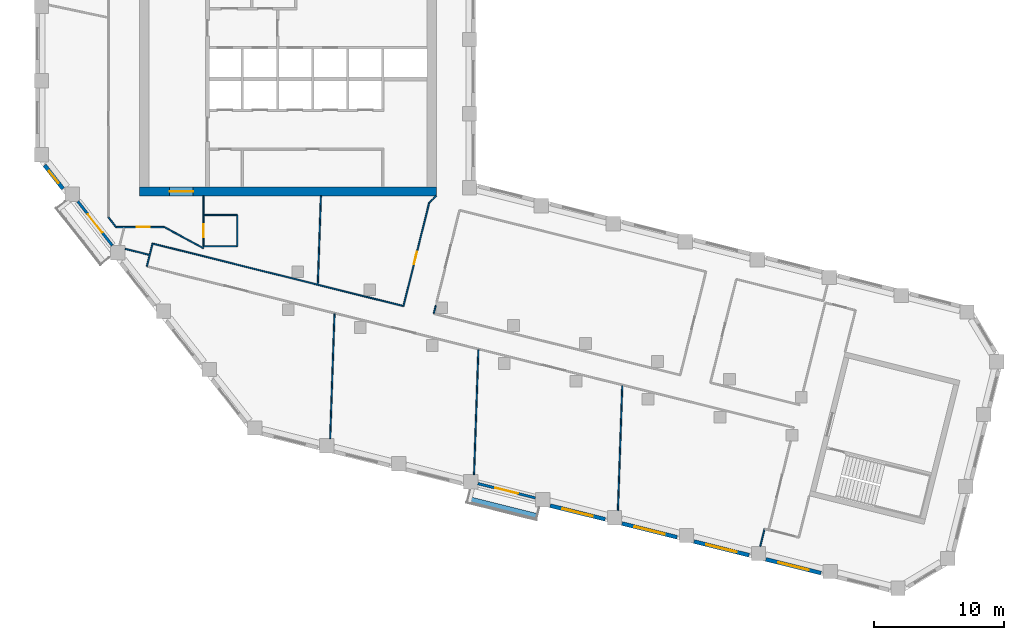
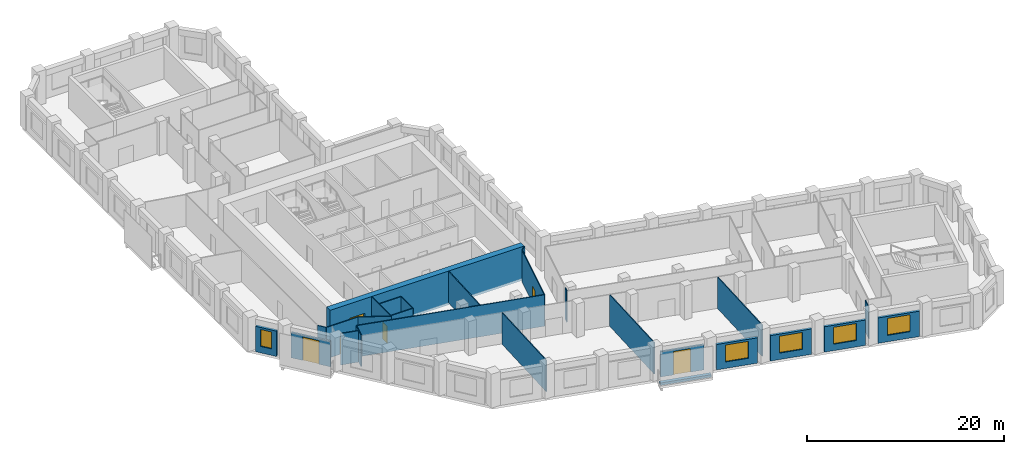
# One storey, part 3 of 10: 27 walls, 6 doors, 5 windows, 11 openings.
"""IFC4 building model written with IfcOpenShell, lengths in metres."""

from ifc_helpers import new_model, si_unit, direction, frame, frame_2d, origin, place, context, subcontext, project, spatial, rectangle, extrude, material, layer, layer_set, type_object, element, fill, save


model = new_model("IFC4")

# Units and contexts
model_context = context("Model", 3, precision=1e-05, world=origin(), true_north=direction((0.0, 1.0)))
body_context = subcontext(model_context, "Body", "Model", "MODEL_VIEW")
ifc_project = project(units=[si_unit("LENGTHUNIT", "METRE"), si_unit("AREAUNIT", "SQUARE_METRE"), si_unit("VOLUMEUNIT", "CUBIC_METRE"), si_unit("PLANEANGLEUNIT", "RADIAN"), si_unit("MASSUNIT", "GRAM", prefix="KILO")], contexts=[model_context])

# Site, building, storey
site_placement = place(None, origin())
site = spatial("IfcSite", under=ifc_project, at=site_placement, CompositionType="ELEMENT")
building_placement = place(site_placement, origin())
building = spatial("IfcBuilding", under=site, at=building_placement, Name="Meshkara Civic Tower", CompositionType="ELEMENT")
storey_placement = place(building_placement, frame((0.0, 0.0, 250.800048828125)))
storey = spatial("IfcBuildingStorey", under=building, at=storey_placement, Name="L57", CompositionType="ELEMENT", Elevation=250.800048828125)

# Wall, opening, door
ifc_material_1 = material(Name="Concrete C60", Category="concrete")
ifc_layer_1 = layer(ifc_material_1, 0.699951171875)
ifc_layer_set_1 = layer_set([ifc_layer_1], Name="Core ring wall 700 C60")
wall_type_1 = type_object("IfcWallType", Name="Core ring wall 700 C60", PredefinedType="SHEAR", material=ifc_layer_set_1)
wall_1_placement = place(storey_placement, frame((8.0, 14.449951171875, -0.300048828125), z_axis=(0.0, 0.0, 1.0), x_axis=(1.0, 0.0, 0.0)))
wall_1 = element("IfcWall", 1, at=wall_1_placement, inside=storey, type_object=wall_type_1, Name="L57-C001", PredefinedType="SHEAR", context=body_context, shape_type="SweptSolid", body=[
    extrude(rectangle(XDim=22.800048828125, YDim=0.699951171875, at=frame_2d((11.39990234375, 0.0))), origin(), (0.0, 0.0, 1.0), 4.199951171875),
])
opening_1_placement = place(wall_1_placement, frame((2.300048828125, 0.0, 0.300048828125)))
opening_1 = element("IfcOpeningElement", 2, at=opening_1_placement, cuts=wall_1, Name="Opening L57-K021", PredefinedType="OPENING", context=body_context, shape_type="SweptSolid", body=[
    extrude(rectangle(XDim=1.800048828125, YDim=2.10009765625, at=frame_2d((0.89990234375, 1.050048828125))), frame((0.0, 0.35986328125, 0.0), z_axis=(0.0, -1.0, 0.0), x_axis=(1.0, 0.0, 0.0)), (0.0, 0.0, 1.0), 0.719970703125),
])
ifc_material_2 = material(Name="Fire-rated door leaf in steel frame", Category="steel")
door_type_1 = type_object("IfcDoorType", Name="Core double door 1800 EI 60", OperationType="DOUBLE_DOOR_SINGLE_SWING", PredefinedType="DOOR", material=ifc_material_2)
door_1_placement = place(opening_1_placement, origin())
door_1 = element("IfcDoor", 3, at=door_1_placement, inside=storey, type_object=door_type_1, Name="L57-K021", OperationType="DOUBLE_DOOR_SINGLE_SWING", OverallHeight=2.10009765625, OverallWidth=1.800048828125, PredefinedType="DOOR", context=body_context, shape_type="SweptSolid", body=[
    extrude(rectangle(XDim=1.800048828125, YDim=2.10009765625, at=frame_2d((0.89990234375, 1.050048828125))), frame((0.0, 0.02490234375, 0.0), z_axis=(0.0, -1.0, 0.0), x_axis=(1.0, 0.0, 0.0)), (0.0, 0.0, 1.0), 0.050048828125),
])
fill(opening_1, door_1)

# Wall
ifc_material_3 = material(Name="Corridor wall 100")
ifc_layer_2 = layer(ifc_material_3, 0.10009765625)
ifc_layer_set_2 = layer_set([ifc_layer_2], Name="Corridor wall 100")
wall_type_2 = type_object("IfcWallType", Name="Corridor wall 100", PredefinedType="PARTITIONING", material=ifc_layer_set_2)
wall_2_placement = place(storey_placement, frame((5.60009765625, 12.449951171875, 0.0), z_axis=(0.0, 0.0, 1.0), x_axis=(0.615644041972, -0.788024373725, 0.0)))
element("IfcWall", 4, at=wall_2_placement, inside=storey, type_object=wall_type_2, Name="L57-W003", PredefinedType="PARTITIONING", context=body_context, shape_type="SweptSolid", body=[
    extrude(rectangle(XDim=0.95166015625, YDim=0.10009765625, at=frame_2d((0.475830078125, 0.0))), origin(), (0.0, 0.0, 1.0), 3.89990234375),
])

# Wall, opening, door
wall_3_placement = place(storey_placement, frame((6.18603515625, 11.699951171875, 0.0), z_axis=(0.0, 0.0, 1.0), x_axis=(1.0, 0.0, 0.0)))
wall_3 = element("IfcWall", 5, at=wall_3_placement, inside=storey, type_object=wall_type_2, Name="L57-W006", PredefinedType="PARTITIONING", context=body_context, shape_type="SweptSolid", body=[
    extrude(rectangle(XDim=3.7138671875, YDim=0.10009765625, at=frame_2d((1.85693359375, 0.0))), origin(), (0.0, 0.0, 1.0), 3.89990234375),
])
opening_2_placement = place(wall_3_placement, frame((1.591064453125, 0.0, 0.0)))
opening_2 = element("IfcOpeningElement", 6, at=opening_2_placement, cuts=wall_3, Name="Opening L57-D008", PredefinedType="OPENING", context=body_context, shape_type="SweptSolid", body=[
    extrude(rectangle(XDim=1.0, YDim=2.10009765625, at=frame_2d((0.5, 1.050048828125))), frame((0.0, 0.06005859375, 0.0), z_axis=(0.0, -1.0, 0.0), x_axis=(1.0, 0.0, 0.0)), (0.0, 0.0, 1.0), 0.1201171875),
])
ifc_material_4 = material(Name="Door 1000 x 2100")
door_type_2 = type_object("IfcDoorType", Name="Door 1000 x 2100", OperationType="SINGLE_SWING_LEFT", PredefinedType="DOOR", material=ifc_material_4)
door_2_placement = place(opening_2_placement, origin())
door_2 = element("IfcDoor", 7, at=door_2_placement, inside=storey, type_object=door_type_2, Name="L57-D008", OperationType="SINGLE_SWING_RIGHT", OverallHeight=2.10009765625, OverallWidth=1.0, PredefinedType="DOOR", context=body_context, shape_type="SweptSolid", body=[
    extrude(rectangle(XDim=1.0, YDim=2.10009765625, at=frame_2d((0.5, 1.050048828125))), frame((0.0, 0.02490234375, 0.0), z_axis=(0.0, -1.0, 0.0), x_axis=(1.0, 0.0, 0.0)), (0.0, 0.0, 1.0), 0.050048828125),
])
fill(opening_2, door_2)

# Walls
wall_4_placement = place(storey_placement, frame((8.988037109375, 10.43994140625, 0.0), z_axis=(0.0, 0.0, 1.0), x_axis=(0.970301223092, -0.241899848006, 0.0)))
element("IfcWall", 8, at=wall_4_placement, inside=storey, type_object=wall_type_2, Name="L57-W009", PredefinedType="PARTITIONING", context=body_context, shape_type="SweptSolid", body=[
    extrude(rectangle(XDim=19.87939453125, YDim=0.10009765625, at=frame_2d((9.939697265625, 0.0))), origin(), (0.0, 0.0, 1.0), 3.89990234375),
])
wall_5_placement = place(storey_placement, frame((8.988037109375, 10.43994140625, 0.0), z_axis=(0.0, 0.0, 1.0), x_axis=(-0.242154485745, -0.970237705428, 0.0)))
element("IfcWall", 9, at=wall_5_placement, inside=storey, type_object=wall_type_2, Name="L57-W010", PredefinedType="PARTITIONING", context=body_context, shape_type="SweptSolid", body=[
    extrude(rectangle(XDim=1.80859375, YDim=0.10009765625, at=frame_2d((0.904296875, 0.0))), origin(), (0.0, 0.0, 1.0), 3.89990234375),
])
wall_6_placement = place(storey_placement, frame((9.89990234375, 11.699951171875, 0.0), z_axis=(0.0, 0.0, 1.0), x_axis=(0.87965147249, -0.475618846291, 0.0)))
element("IfcWall", 10, at=wall_6_placement, inside=storey, type_object=wall_type_2, Name="L57-W011", PredefinedType="PARTITIONING", context=body_context, shape_type="SweptSolid", body=[
    extrude(rectangle(XDim=3.410400390625, YDim=0.10009765625, at=frame_2d((1.705078125, 0.0))), origin(), (0.0, 0.0, 1.0), 3.89990234375),
])

# Wall, opening, door
wall_7_placement = place(storey_placement, frame((12.89990234375, 10.22802734375, 0.0), z_axis=(0.0, 0.0, 1.0), x_axis=(0.0, 1.0, 0.0)))
wall_7 = element("IfcWall", 11, at=wall_7_placement, inside=storey, type_object=wall_type_2, Name="L57-W016", PredefinedType="PARTITIONING", context=body_context, shape_type="SweptSolid", body=[
    extrude(rectangle(XDim=3.8720703125, YDim=0.10009765625, at=frame_2d((1.93603515625, 0.0))), origin(), (0.0, 0.0, 1.0), 3.89990234375),
])
opening_3_placement = place(wall_7_placement, frame((0.679931640625, 0.0, 0.0)))
opening_3 = element("IfcOpeningElement", 12, at=opening_3_placement, cuts=wall_7, Name="Opening L57-D009", PredefinedType="OPENING", context=body_context, shape_type="SweptSolid", body=[
    extrude(rectangle(XDim=1.0, YDim=2.10009765625, at=frame_2d((0.5, 1.050048828125))), frame((0.0, 0.06005859375, 0.0), z_axis=(0.0, -1.0, 0.0), x_axis=(1.0, 0.0, 0.0)), (0.0, 0.0, 1.0), 0.1201171875),
])
door_3_placement = place(opening_3_placement, origin())
door_3 = element("IfcDoor", 13, at=door_3_placement, inside=storey, type_object=door_type_2, Name="L57-D009", OperationType="SINGLE_SWING_RIGHT", OverallHeight=2.10009765625, OverallWidth=1.0, PredefinedType="DOOR", context=body_context, shape_type="SweptSolid", body=[
    extrude(rectangle(XDim=1.0, YDim=2.10009765625, at=frame_2d((0.5, 1.050048828125))), frame((0.0, 0.02490234375, 0.0), z_axis=(0.0, -1.0, 0.0), x_axis=(1.0, 0.0, 0.0)), (0.0, 0.0, 1.0), 0.050048828125),
])
fill(opening_3, door_3)

wall_8_placement = place(storey_placement, frame((30.259033203125, 13.5830078125, 0.0), z_axis=(0.0, 0.0, 1.0), x_axis=(-0.241841612879, -0.970315739479, 0.0)))
wall_8 = element("IfcWall", 14, at=wall_8_placement, inside=storey, type_object=wall_type_2, Name="L57-W026", PredefinedType="PARTITIONING", context=body_context, shape_type="SweptSolid", body=[
    extrude(rectangle(XDim=8.195068359375, YDim=0.10009765625, at=frame_2d((4.09765625, 0.0))), origin(), (0.0, 0.0, 1.0), 3.89990234375),
])
opening_4_placement = place(wall_8_placement, frame((3.8798828125, 0.0, 0.0)))
opening_4 = element("IfcOpeningElement", 15, at=opening_4_placement, cuts=wall_8, Name="Opening L57-D011", PredefinedType="OPENING", context=body_context, shape_type="SweptSolid", body=[
    extrude(rectangle(XDim=1.0, YDim=2.10009765625, at=frame_2d((0.5, 1.050048828125))), frame((0.0, 0.06005859375, 0.0), z_axis=(0.0, -1.0, 0.0), x_axis=(1.0, 0.0, 0.0)), (0.0, 0.0, 1.0), 0.1201171875),
])
door_4_placement = place(opening_4_placement, origin())
door_4 = element("IfcDoor", 16, at=door_4_placement, inside=storey, type_object=door_type_2, Name="L57-D011", OperationType="SINGLE_SWING_LEFT", OverallHeight=2.10009765625, OverallWidth=1.0, PredefinedType="DOOR", context=body_context, shape_type="SweptSolid", body=[
    extrude(rectangle(XDim=1.0, YDim=2.10009765625, at=frame_2d((0.5, 1.050048828125))), frame((0.0, 0.02490234375, 0.0), z_axis=(0.0, -1.0, 0.0), x_axis=(1.0, 0.0, 0.0)), (0.0, 0.0, 1.0), 0.050048828125),
])
fill(opening_4, door_4)

# Walls
wall_9_placement = place(storey_placement, frame((30.60498046875, 5.050048828125, 0.0), z_axis=(0.0, 0.0, 1.0), x_axis=(0.241823201882, 0.970320328052, 0.0)))
element("IfcWall", 17, at=wall_9_placement, inside=storey, type_object=wall_type_2, Name="L57-W027", PredefinedType="PARTITIONING", context=body_context, shape_type="SweptSolid", body=[
    extrude(rectangle(XDim=0.64501953125, YDim=0.10009765625, at=frame_2d((0.322509765625, 0.0))), origin(), (0.0, 0.0, 1.0), 3.89990234375),
])
wall_10_placement = place(storey_placement, frame((30.800048828125, 14.10009765625, 0.0), z_axis=(0.0, 0.0, 1.0), x_axis=(-0.722911025189, -0.690941133281, 0.0)))
element("IfcWall", 18, at=wall_10_placement, inside=storey, type_object=wall_type_2, Name="L57-W028", PredefinedType="PARTITIONING", context=body_context, shape_type="SweptSolid", body=[
    extrude(rectangle(XDim=0.748291015625, YDim=0.10009765625, at=frame_2d((0.3740234375, 0.0))), origin(), (0.0, 0.0, 1.0), 3.89990234375),
])

# Wall, opening, window
ifc_material_5 = material(Name="Insulated infill panel with bronze anodised aluminium cladding", Category="aluminium")
ifc_layer_3 = layer(ifc_material_5, 0.300048828125)
ifc_layer_set_3 = layer_set([ifc_layer_3], Name="EXTERNAL INFILL WALL 300")
wall_type_3 = type_object("IfcWallType", Name="EXTERNAL INFILL WALL 300", PredefinedType="SOLIDWALL", material=ifc_layer_set_3)
wall_11_placement = place(storey_placement, frame((0.68896484375, 16.4619140625, 0.0), z_axis=(0.0, 0.0, 1.0), x_axis=(0.615625465473, -0.788038886262, 0.0)))
wall_11 = element("IfcWall", 19, at=wall_11_placement, inside=storey, type_object=wall_type_3, Name="External wall", PredefinedType="SOLIDWALL", context=body_context, shape_type="SweptSolid", body=[
    extrude(rectangle(XDim=2.29541015625, YDim=0.300048828125, at=frame_2d((1.147705078125, 0.0))), origin(), (0.0, 0.0, 1.0), 3.14990234375),
])
opening_5_placement = place(wall_11_placement, frame((0.548095703125, 0.0, 0.800048828125)))
opening_5 = element("IfcOpeningElement", 20, at=opening_5_placement, cuts=wall_11, Name="Opening W3", PredefinedType="OPENING", context=body_context, shape_type="SweptSolid", body=[
    extrude(rectangle(XDim=1.199951171875, YDim=2.10009765625, at=frame_2d((0.60009765625, 1.050048828125))), frame((0.0, 0.159912109375, 0.0), z_axis=(0.0, -1.0, 0.0), x_axis=(1.0, 0.0, 0.0)), (0.0, 0.0, 1.0), 0.320068359375),
])
ifc_material_6 = material(Name="Tinted double glazing", Category="glass")
window_type_1 = type_object("IfcWindowType", Name="WINDOW 1200x2100", PartitioningType="SINGLE_PANEL", PredefinedType="WINDOW", material=ifc_material_6)
window_1_placement = place(opening_5_placement, origin())
window_1 = element("IfcWindow", 21, at=window_1_placement, inside=storey, type_object=window_type_1, Name="Window", OverallHeight=2.10009765625, OverallWidth=1.199951171875, PartitioningType="SINGLE_PANEL", PredefinedType="WINDOW", context=body_context, shape_type="SweptSolid", body=[
    extrude(rectangle(XDim=1.199951171875, YDim=2.10009765625, at=frame_2d((0.60009765625, 1.050048828125))), frame((0.0, 0.030029296875, 0.0), z_axis=(0.0, -1.0, 0.0), x_axis=(1.0, 0.0, 0.0)), (0.0, 0.0, 1.0), 0.06005859375),
])
fill(opening_5, window_1)

wall_12_placement = place(storey_placement, frame((39.548095703125, -9.7060546875, 0.0), z_axis=(0.0, 0.0, 1.0), x_axis=(0.970319847058, -0.241825131873, 0.0)))
wall_12 = element("IfcWall", 22, at=wall_12_placement, inside=storey, type_object=wall_type_3, Name="External wall", PredefinedType="SOLIDWALL", context=body_context, shape_type="SweptSolid", body=[
    extrude(rectangle(XDim=4.366455078125, YDim=0.300048828125, at=frame_2d((2.18310546875, 0.0))), origin(), (0.0, 0.0, 1.0), 3.14990234375),
])
opening_6_placement = place(wall_12_placement, frame((0.98291015625, 0.0, 0.800048828125)))
opening_6 = element("IfcOpeningElement", 23, at=opening_6_placement, cuts=wall_12, Name="Opening W7", PredefinedType="OPENING", context=body_context, shape_type="SweptSolid", body=[
    extrude(rectangle(XDim=2.39990234375, YDim=2.10009765625, at=frame_2d((1.199951171875, 1.050048828125))), frame((0.0, 0.159912109375, 0.0), z_axis=(0.0, -1.0, 0.0), x_axis=(1.0, 0.0, 0.0)), (0.0, 0.0, 1.0), 0.320068359375),
])
ifc_material_7 = material(Name="Tinted double glazing", Category="glass")
window_type_2 = type_object("IfcWindowType", Name="WINDOW 2400x2100", PartitioningType="DOUBLE_PANEL_VERTICAL", PredefinedType="WINDOW", material=ifc_material_7)
window_2_placement = place(opening_6_placement, origin())
window_2 = element("IfcWindow", 24, at=window_2_placement, inside=storey, type_object=window_type_2, Name="Window", OverallHeight=2.10009765625, OverallWidth=2.39990234375, PartitioningType="DOUBLE_PANEL_VERTICAL", PredefinedType="WINDOW", context=body_context, shape_type="SweptSolid", body=[
    extrude(rectangle(XDim=2.39990234375, YDim=2.10009765625, at=frame_2d((1.199951171875, 1.050048828125))), frame((0.0, 0.030029296875, 0.0), z_axis=(0.0, -1.0, 0.0), x_axis=(1.0, 0.0, 0.0)), (0.0, 0.0, 1.0), 0.06005859375),
])
fill(opening_6, window_2)

wall_13_placement = place(storey_placement, frame((45.0791015625, -11.0849609375, 0.0), z_axis=(0.0, 0.0, 1.0), x_axis=(0.970293636985, -0.241930275135, 0.0)))
wall_13 = element("IfcWall", 25, at=wall_13_placement, inside=storey, type_object=wall_type_3, Name="External wall", PredefinedType="SOLIDWALL", context=body_context, shape_type="SweptSolid", body=[
    extrude(rectangle(XDim=4.365478515625, YDim=0.300048828125, at=frame_2d((2.1826171875, 0.0))), origin(), (0.0, 0.0, 1.0), 3.14990234375),
])
opening_7_placement = place(wall_13_placement, frame((0.98291015625, 0.0, 0.800048828125)))
opening_7 = element("IfcOpeningElement", 26, at=opening_7_placement, cuts=wall_13, Name="Opening W7", PredefinedType="OPENING", context=body_context, shape_type="SweptSolid", body=[
    extrude(rectangle(XDim=2.39990234375, YDim=2.10009765625, at=frame_2d((1.199951171875, 1.050048828125))), frame((0.0, 0.159912109375, 0.0), z_axis=(0.0, -1.0, 0.0), x_axis=(1.0, 0.0, 0.0)), (0.0, 0.0, 1.0), 0.320068359375),
])
window_3_placement = place(opening_7_placement, origin())
window_3 = element("IfcWindow", 27, at=window_3_placement, inside=storey, type_object=window_type_2, Name="Window", OverallHeight=2.10009765625, OverallWidth=2.39990234375, PartitioningType="DOUBLE_PANEL_VERTICAL", PredefinedType="WINDOW", context=body_context, shape_type="SweptSolid", body=[
    extrude(rectangle(XDim=2.39990234375, YDim=2.10009765625, at=frame_2d((1.199951171875, 1.050048828125))), frame((0.0, 0.030029296875, 0.0), z_axis=(0.0, -1.0, 0.0), x_axis=(1.0, 0.0, 0.0)), (0.0, 0.0, 1.0), 0.06005859375),
])
fill(opening_7, window_3)

wall_14_placement = place(storey_placement, frame((50.60888671875, -12.462890625, 0.0), z_axis=(0.0, 0.0, 1.0), x_axis=(0.970257492536, -0.242075191166, 0.0)))
wall_14 = element("IfcWall", 28, at=wall_14_placement, inside=storey, type_object=wall_type_3, Name="External wall", PredefinedType="SOLIDWALL", context=body_context, shape_type="SweptSolid", body=[
    extrude(rectangle(XDim=4.366943359375, YDim=0.300048828125, at=frame_2d((2.18359375, 0.0))), origin(), (0.0, 0.0, 1.0), 3.14990234375),
])
opening_8_placement = place(wall_14_placement, frame((0.98291015625, 0.0, 0.800048828125)))
opening_8 = element("IfcOpeningElement", 29, at=opening_8_placement, cuts=wall_14, Name="Opening W7", PredefinedType="OPENING", context=body_context, shape_type="SweptSolid", body=[
    extrude(rectangle(XDim=2.39990234375, YDim=2.10009765625, at=frame_2d((1.199951171875, 1.050048828125))), frame((0.0, 0.159912109375, 0.0), z_axis=(0.0, -1.0, 0.0), x_axis=(1.0, 0.0, 0.0)), (0.0, 0.0, 1.0), 0.320068359375),
])
window_4_placement = place(opening_8_placement, origin())
window_4 = element("IfcWindow", 30, at=window_4_placement, inside=storey, type_object=window_type_2, Name="Window", OverallHeight=2.10009765625, OverallWidth=2.39990234375, PartitioningType="DOUBLE_PANEL_VERTICAL", PredefinedType="WINDOW", context=body_context, shape_type="SweptSolid", body=[
    extrude(rectangle(XDim=2.39990234375, YDim=2.10009765625, at=frame_2d((1.199951171875, 1.050048828125))), frame((0.0, 0.030029296875, 0.0), z_axis=(0.0, -1.0, 0.0), x_axis=(1.0, 0.0, 0.0)), (0.0, 0.0, 1.0), 0.06005859375),
])
fill(opening_8, window_4)

wall_15_placement = place(storey_placement, frame((56.139892578125, -13.842041015625, 0.0), z_axis=(0.0, 0.0, 1.0), x_axis=(0.970270622343, -0.24202255973, 0.0)))
wall_15 = element("IfcWall", 31, at=wall_15_placement, inside=storey, type_object=wall_type_3, Name="External wall", PredefinedType="SOLIDWALL", context=body_context, shape_type="SweptSolid", body=[
    extrude(rectangle(XDim=4.366943359375, YDim=0.300048828125, at=frame_2d((2.18359375, 0.0))), origin(), (0.0, 0.0, 1.0), 3.14990234375),
])
opening_9_placement = place(wall_15_placement, frame((0.98291015625, 0.0, 0.800048828125)))
opening_9 = element("IfcOpeningElement", 32, at=opening_9_placement, cuts=wall_15, Name="Opening W7", PredefinedType="OPENING", context=body_context, shape_type="SweptSolid", body=[
    extrude(rectangle(XDim=2.39990234375, YDim=2.10009765625, at=frame_2d((1.199951171875, 1.050048828125))), frame((0.0, 0.159912109375, 0.0), z_axis=(0.0, -1.0, 0.0), x_axis=(1.0, 0.0, 0.0)), (0.0, 0.0, 1.0), 0.320068359375),
])
window_5_placement = place(opening_9_placement, origin())
window_5 = element("IfcWindow", 33, at=window_5_placement, inside=storey, type_object=window_type_2, Name="Window", OverallHeight=2.10009765625, OverallWidth=2.39990234375, PartitioningType="DOUBLE_PANEL_VERTICAL", PredefinedType="WINDOW", context=body_context, shape_type="SweptSolid", body=[
    extrude(rectangle(XDim=2.39990234375, YDim=2.10009765625, at=frame_2d((1.199951171875, 1.050048828125))), frame((0.0, 0.030029296875, 0.0), z_axis=(0.0, -1.0, 0.0), x_axis=(1.0, 0.0, 0.0)), (0.0, 0.0, 1.0), 0.06005859375),
])
fill(opening_9, window_5)

# Wall, opening, door
ifc_material_8 = material(Name="Insulated infill panel with bronze anodised aluminium cladding", Category="aluminium")
ifc_layer_4 = layer(ifc_material_8, 0.199951171875)
ifc_layer_set_4 = layer_set([ifc_layer_4], Name="LOGGIA BACK WALL 200")
wall_type_4 = type_object("IfcWallType", Name="LOGGIA BACK WALL 200", PredefinedType="SOLIDWALL", material=ifc_layer_set_4)
wall_16_placement = place(storey_placement, frame((3.243896484375, 13.678955078125, 0.0), z_axis=(0.0, 0.0, 1.0), x_axis=(0.615682564618, -0.787994276392, 0.0)))
wall_16 = element("IfcWall", 34, at=wall_16_placement, inside=storey, type_object=wall_type_4, Name="Loggia wall", PredefinedType="SOLIDWALL", context=body_context, shape_type="SweptSolid", body=[
    extrude(rectangle(XDim=4.304443359375, YDim=0.199951171875, at=frame_2d((2.15234375, 0.0))), origin(), (0.0, 0.0, 1.0), 3.14990234375),
])
opening_10_placement = place(wall_16_placement, frame((1.251953125, 0.0, 0.0)))
opening_10 = element("IfcOpeningElement", 35, at=opening_10_placement, cuts=wall_16, Name="Opening L57-L002", PredefinedType="OPENING", context=body_context, shape_type="SweptSolid", body=[
    extrude(rectangle(XDim=1.800048828125, YDim=2.89990234375, at=frame_2d((0.89990234375, 1.449951171875))), frame((0.0, 0.10986328125, 0.0), z_axis=(0.0, -1.0, 0.0), x_axis=(1.0, 0.0, 0.0)), (0.0, 0.0, 1.0), 0.219970703125),
])
ifc_material_9 = material(Name="Tinted double glazing", Category="glass")
door_type_3 = type_object("IfcDoorType", Name="LOGGIA DOOR 1800x2900", OperationType="DOUBLE_DOOR_SINGLE_SWING", PredefinedType="DOOR", material=ifc_material_9)
door_5_placement = place(opening_10_placement, origin())
door_5 = element("IfcDoor", 36, at=door_5_placement, inside=storey, type_object=door_type_3, Name="L57-L002", OperationType="DOUBLE_DOOR_SINGLE_SWING", OverallHeight=2.89990234375, OverallWidth=1.800048828125, PredefinedType="DOOR", context=body_context, shape_type="SweptSolid", body=[
    extrude(rectangle(XDim=1.800048828125, YDim=2.89990234375, at=frame_2d((0.89990234375, 1.449951171875))), frame((0.0, 0.02490234375, 0.0), z_axis=(0.0, -1.0, 0.0), x_axis=(1.0, 0.0, 0.0)), (0.0, 0.0, 1.0), 0.050048828125),
])
fill(opening_10, door_5)

wall_17_placement = place(storey_placement, frame((33.992919921875, -8.011962890625, 0.0), z_axis=(0.0, 0.0, 1.0), x_axis=(0.970337166083, -0.241755628927, 0.0)))
wall_17 = element("IfcWall", 37, at=wall_17_placement, inside=storey, type_object=wall_type_4, Name="Loggia wall", PredefinedType="SOLIDWALL", context=body_context, shape_type="SweptSolid", body=[
    extrude(rectangle(XDim=4.566650390625, YDim=0.199951171875, at=frame_2d((2.283203125, 0.0))), origin(), (0.0, 0.0, 1.0), 3.14990234375),
])
opening_11_placement = place(wall_17_placement, frame((1.383056640625, 0.0, 0.0)))
opening_11 = element("IfcOpeningElement", 38, at=opening_11_placement, cuts=wall_17, Name="Opening L57-L003", PredefinedType="OPENING", context=body_context, shape_type="SweptSolid", body=[
    extrude(rectangle(XDim=1.800048828125, YDim=2.89990234375, at=frame_2d((0.89990234375, 1.449951171875))), frame((0.0, 0.10986328125, 0.0), z_axis=(0.0, -1.0, 0.0), x_axis=(1.0, 0.0, 0.0)), (0.0, 0.0, 1.0), 0.219970703125),
])
door_6_placement = place(opening_11_placement, origin())
door_6 = element("IfcDoor", 39, at=door_6_placement, inside=storey, type_object=door_type_3, Name="L57-L003", OperationType="DOUBLE_DOOR_SINGLE_SWING", OverallHeight=2.89990234375, OverallWidth=1.800048828125, PredefinedType="DOOR", context=body_context, shape_type="SweptSolid", body=[
    extrude(rectangle(XDim=1.800048828125, YDim=2.89990234375, at=frame_2d((0.89990234375, 1.449951171875))), frame((0.0, 0.02490234375, 0.0), z_axis=(0.0, -1.0, 0.0), x_axis=(1.0, 0.0, 0.0)), (0.0, 0.0, 1.0), 0.050048828125),
])
fill(opening_11, door_6)

# Walls
ifc_material_10 = material(Name="Concrete C40", Category="concrete")
ifc_layer_5 = layer(ifc_material_10, 0.39990234375)
ifc_layer_set_5 = layer_set([ifc_layer_5], Name="PLANTER TRAY")
wall_type_5 = type_object("IfcWallType", Name="PLANTER TRAY", PredefinedType="SOLIDWALL", material=ifc_layer_set_5)
wall_18_placement = place(storey_placement, frame((33.285888671875, -9.2060546875, 0.0), z_axis=(0.0, 0.0, 1.0), x_axis=(0.970292345375, -0.241935455249, 0.0)))
element("IfcWall", 40, at=wall_18_placement, inside=storey, type_object=wall_type_5, Name="Planter", PredefinedType="SOLIDWALL", context=body_context, shape_type="SweptSolid", body=[
    extrude(rectangle(XDim=5.3603515625, YDim=0.39990234375, at=frame_2d((2.68017578125, 0.0))), origin(), (0.0, 0.0, 1.0), 0.300048828125),
])
ifc_material_11 = material(Name="Partition 100")
ifc_layer_6 = layer(ifc_material_11, 0.10009765625)
ifc_layer_set_6 = layer_set([ifc_layer_6], Name="Partition 100")
wall_type_6 = type_object("IfcWallType", Name="Partition 100", PredefinedType="PARTITIONING", material=ifc_layer_set_6)
wall_19_placement = place(storey_placement, frame((8.719970703125, 9.573974609375, 0.0), z_axis=(0.0, 0.0, 1.0), x_axis=(-0.970240497311, 0.242143299263, 0.0)))
element("IfcWall", 41, at=wall_19_placement, inside=storey, type_object=wall_type_6, Name="L57-W049", PredefinedType="PARTITIONING", context=body_context, shape_type="SweptSolid", body=[
    extrude(rectangle(XDim=1.903564453125, YDim=0.10009765625, at=frame_2d((0.95166015625, 0.0))), origin(), (0.0, 0.0, 1.0), 3.89990234375),
])
wall_20_placement = place(storey_placement, frame((12.949951171875, 12.6279296875, 0.0), z_axis=(0.0, 0.0, 1.0), x_axis=(1.0, 0.0, 0.0)))
element("IfcWall", 42, at=wall_20_placement, inside=storey, type_object=wall_type_6, Name="L57-W050", PredefinedType="PARTITIONING", context=body_context, shape_type="SweptSolid", body=[
    extrude(rectangle(XDim=2.550048828125, YDim=0.10009765625, at=frame_2d((1.27490234375, 0.0))), origin(), (0.0, 0.0, 1.0), 3.89990234375),
])
wall_21_placement = place(storey_placement, frame((15.5, 10.22802734375, 0.0), z_axis=(0.0, 0.0, 1.0), x_axis=(-1.0, 0.0, 0.0)))
element("IfcWall", 43, at=wall_21_placement, inside=storey, type_object=wall_type_6, Name="L57-W051", PredefinedType="PARTITIONING", context=body_context, shape_type="SweptSolid", body=[
    extrude(rectangle(XDim=2.60009765625, YDim=0.10009765625, at=frame_2d((1.300048828125, 0.0))), origin(), (0.0, 0.0, 1.0), 3.89990234375),
])
wall_22_placement = place(storey_placement, frame((15.5, 12.6279296875, 0.0), z_axis=(0.0, 0.0, 1.0), x_axis=(0.0, -1.0, 0.0)))
element("IfcWall", 44, at=wall_22_placement, inside=storey, type_object=wall_type_6, Name="L57-W052", PredefinedType="PARTITIONING", context=body_context, shape_type="SweptSolid", body=[
    extrude(rectangle(XDim=2.39990234375, YDim=0.10009765625, at=frame_2d((1.199951171875, 0.0))), origin(), (0.0, 0.0, 1.0), 3.89990234375),
])
wall_23_placement = place(storey_placement, frame((21.695068359375, 7.333984375, 0.0), z_axis=(0.0, 0.0, 1.0), x_axis=(0.034978942342, 0.999388049555, 0.0)))
element("IfcWall", 45, at=wall_23_placement, inside=storey, type_object=wall_type_6, Name="L57-W054", PredefinedType="PARTITIONING", context=body_context, shape_type="SweptSolid", body=[
    extrude(rectangle(XDim=6.770263671875, YDim=0.10009765625, at=frame_2d((3.38525390625, 0.0))), origin(), (0.0, 0.0, 1.0), 3.89990234375),
])
wall_24_placement = place(storey_placement, frame((22.64111328125, -4.56689453125, 0.0), z_axis=(0.0, 0.0, 1.0), x_axis=(0.034896781654, 0.999390921827, 0.0)))
element("IfcWall", 46, at=wall_24_placement, inside=storey, type_object=wall_type_6, Name="L57-W055", PredefinedType="PARTITIONING", context=body_context, shape_type="SweptSolid", body=[
    extrude(rectangle(XDim=9.5986328125, YDim=0.10009765625, at=frame_2d((4.79931640625, 0.0))), origin(), (0.0, 0.0, 1.0), 3.89990234375),
])
for number, where, z_axis, x_axis, name in (
    (47, (33.702880859375, -7.324951171875, 0.0), (0.0, 0.0, 1.0), (0.034823224935, 0.999393487574, 0.0), "L57-W056"),
    (48, (44.763916015625, -10.08203125, 0.0), (0.0, 0.0, 1.0), (0.034797818769, 0.999394372512, 0.0), "L57-W057"),
):
    element("IfcWall", number, at=place(storey_placement, frame(where, z_axis=z_axis, x_axis=x_axis)), inside=storey, type_object=wall_type_6, Name=name, PredefinedType="PARTITIONING", context=body_context, shape_type="SweptSolid", body=[
        extrude(rectangle(XDim=9.597900390625, YDim=0.10009765625, at=frame_2d((4.798828125, 0.0))), origin(), (0.0, 0.0, 1.0), 3.89990234375),
    ])
wall_25_placement = place(storey_placement, frame((55.702880859375, -12.840087890625, 0.0), z_axis=(0.0, 0.0, 1.0), x_axis=(0.242327978011, 0.970194388292, 0.0)))
element("IfcWall", 49, at=wall_25_placement, inside=storey, type_object=wall_type_6, Name="L57-W058", PredefinedType="PARTITIONING", context=body_context, shape_type="SweptSolid", body=[
    extrude(rectangle(XDim=1.38330078125, YDim=0.10009765625, at=frame_2d((0.691650390625, 0.0))), origin(), (0.0, 0.0, 1.0), 3.89990234375),
])

save(model, "model.ifc")
